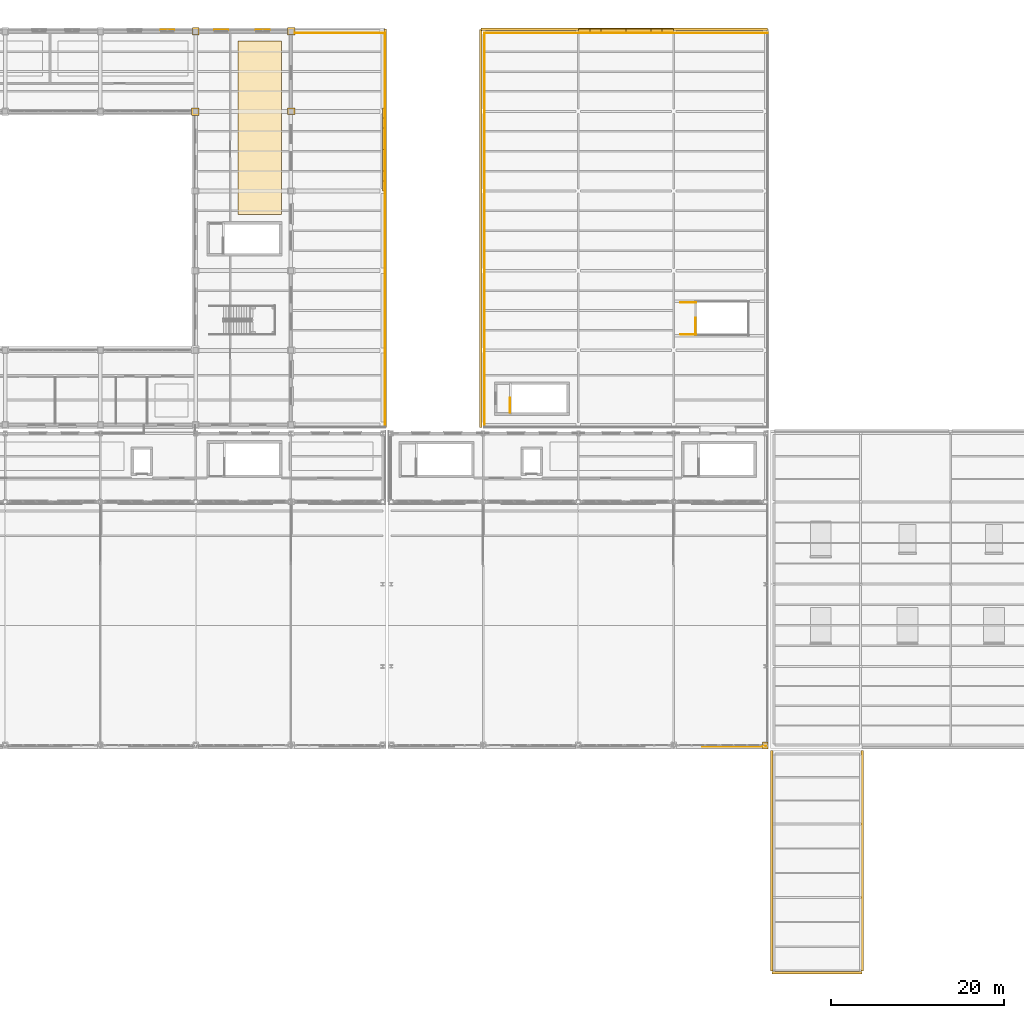
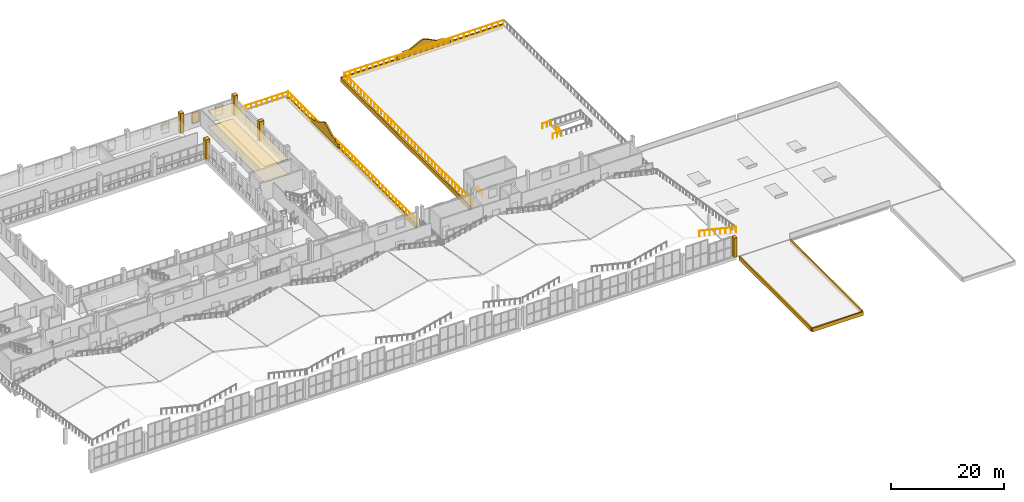
# One storey, part 117 of 120: 15 coverings, 9 railings, 3 shading devices.
"""IFC4 building model written with IfcOpenShell, lengths in metres."""

from ifc_helpers import new_model, si_unit, direction, frame, frame_2d, origin, origin_2d, place, context, subcontext, project, spatial, polyline, rectangle, circle, outline, extrude, material, layer, layer_set, type_object, element, save


model = new_model("IFC4")

# Units and contexts
model_context = context("Model", 3, precision=1e-05, world=origin(), true_north=direction((0.0, 1.0)))
body_context = subcontext(model_context, "Body", "Model", "MODEL_VIEW")
ifc_project = project(units=[si_unit("LENGTHUNIT", "METRE"), si_unit("AREAUNIT", "SQUARE_METRE"), si_unit("VOLUMEUNIT", "CUBIC_METRE"), si_unit("PLANEANGLEUNIT", "RADIAN"), si_unit("MASSUNIT", "GRAM", prefix="KILO")], contexts=[model_context])

# Site, building, storey
site_placement = place(None, origin())
site = spatial("IfcSite", under=ifc_project, at=site_placement, CompositionType="ELEMENT")
building_placement = place(site_placement, origin())
building = spatial("IfcBuilding", under=site, at=building_placement, Name="Caurita Quay Ferry Terminal", CompositionType="ELEMENT")
storey_placement = place(building_placement, frame((0.0, 0.0, 9.89990234375)))
storey = spatial("IfcBuildingStorey", under=building, at=storey_placement, Name="L02", CompositionType="ELEMENT", Elevation=9.89990234375)

# Coverings
ifc_material_1 = material(Name="Acoustic mineral fibre tile", Category="finish")
ifc_layer_1 = layer(ifc_material_1, 0.02001953125, Name="Acoustic mineral-fibre suspended ceiling 20 mm")
ifc_layer_set_1 = layer_set([ifc_layer_1], Name="Acoustic mineral fibre tile")
covering_type_1 = type_object("IfcCoveringType", Name="COV-CEIL-020", PredefinedType="CEILING", material=ifc_layer_set_1)
covering_1_placement = place(storey_placement, frame((0.0, 0.0, 3.422119140625)))
element("IfcCovering", 1, at=covering_1_placement, inside=storey, type_object=covering_type_1, Name="Colonial Terrace Pavilion Cafe Acoustic Ceiling", PredefinedType="CEILING", context=body_context, shape_type="SweptSolid", body=[
    extrude(outline(polyline([(70.89990234375, 95.89990234375), (75.89990234375, 95.89990234375), (75.89990234375, 115.89990234375), (70.89990234375, 115.89990234375), (70.89990234375, 95.89990234375)])), origin(), (0.0, 0.0, 1.0), 0.02001953125),
])
ifc_material_2 = material(Name="Coral stone ashlar cladding", Category="masonry")
ifc_layer_2 = layer(ifc_material_2, 0.239990234375, Name="Classical coral-stone entablature and cornice moulding 240 mm")
ifc_layer_set_2 = layer_set([ifc_layer_2], Name="Coral stone ashlar cladding")
covering_type_2 = type_object("IfcCoveringType", Name="COV-ENT-MLD", PredefinedType="MOLDING", material=ifc_layer_set_2)
covering_2_placement = place(storey_placement, frame((87.8798828125, 71.300048828125, -0.849853515625), z_axis=(0.0, 0.0, 1.0), x_axis=(0.0, 1.0, 0.0)))
element("IfcCovering", 2, at=covering_2_placement, inside=storey, type_object=covering_type_2, Name="L02 Classical Entablature Cornice 012", PredefinedType="MOLDING", context=body_context, shape_type="SweptSolid", body=[
    extrude(rectangle(XDim=46.0, YDim=0.280029296875, at=frame_2d((23.0, 0.0))), origin(), (0.0, 0.0, 1.0), 0.929931640625),
])
covering_3_placement = place(storey_placement, frame((132.050048828125, 117.280029296875, -0.849853515625), z_axis=(0.0, 0.0, 1.0), x_axis=(-1.0, 0.0, 0.0)))
element("IfcCovering", 3, at=covering_3_placement, inside=storey, type_object=covering_type_2, Name="L02 Classical Entablature Cornice 035", PredefinedType="MOLDING", context=body_context, shape_type="SweptSolid", body=[
    extrude(rectangle(XDim=33.10009765625, YDim=0.280029296875, at=frame_2d((16.550048828125, 0.0))), origin(), (0.0, 0.0, 1.0), 0.929931640625),
])
covering_4_placement = place(storey_placement, frame((98.93994140625, 117.280029296875, -0.849853515625), z_axis=(0.0, 0.0, 1.0), x_axis=(0.0, -1.0, 0.0)))
element("IfcCovering", 4, at=covering_4_placement, inside=storey, type_object=covering_type_2, Name="L02 Classical Entablature Cornice 038", PredefinedType="MOLDING", context=body_context, shape_type="SweptSolid", body=[
    extrude(rectangle(XDim=45.97998046875, YDim=0.280029296875, at=frame_2d((22.989990234375, 0.0))), origin(), (0.0, 0.0, 1.0), 0.929931640625),
])
for number, where, z_axis, x_axis, name in (
    (5, (132.5400390625, 34.0, -0.75), (0.0, 0.0, 1.0), (0.0, -1.0, 0.0), "L02 Classical Entablature Cornice 058"),
    (6, (142.97998046875, 8.5, -0.75), (0.0, 0.0, 1.0), (0.0, 1.0, 0.0), "L02 Classical Entablature Cornice 059"),
):
    element("IfcCovering", number, at=place(storey_placement, frame(where, z_axis=z_axis, x_axis=x_axis)), inside=storey, type_object=covering_type_2, Name=name, PredefinedType="MOLDING", context=body_context, shape_type="SweptSolid", body=[
        extrude(rectangle(XDim=25.5, YDim=0.280029296875, at=frame_2d((12.75, 0.0))), origin(), (0.0, 0.0, 1.0), 0.81005859375),
    ])
covering_5_placement = place(storey_placement, frame((132.5400390625, 8.320068359375, -0.75), z_axis=(0.0, 0.0, 1.0), x_axis=(1.0, 0.0, 0.0)))
element("IfcCovering", 7, at=covering_5_placement, inside=storey, type_object=covering_type_2, Name="L02 Classical Entablature Cornice 062", PredefinedType="MOLDING", context=body_context, shape_type="SweptSolid", body=[
    extrude(rectangle(XDim=10.43994140625, YDim=0.280029296875, at=frame_2d((5.219970703125, 0.0))), origin(), (0.0, 0.0, 1.0), 0.81005859375),
])
ifc_material_3 = material(Name="Warm-white lime stucco masonry", Category="masonry")
ifc_layer_3 = layer(ifc_material_3, 0.280029296875, Name="Shaped Spanish Colonial espadana mission parapet gable 280 mm")
ifc_layer_set_3 = layer_set([ifc_layer_3], Name="Warm-white lime stucco masonry")
covering_type_3 = type_object("IfcCoveringType", Name="COV-ESP-MLD", PredefinedType="MOLDING", material=ifc_layer_set_3)
covering_6_placement = place(storey_placement, frame((87.75, 98.60009765625, -0.0498046875), z_axis=(0.0, 0.0, 1.0), x_axis=(0.0, 1.0, 0.0)))
element("IfcCovering", 8, at=covering_6_placement, inside=storey, type_object=covering_type_3, Name="Colonial Terrace East Espadana Gable 074", PredefinedType="MOLDING", context=body_context, shape_type="SweptSolid", body=[
    extrude(outline(polyline([(0.0, 0.0), (9.599853515625, 0.0), (9.599853515625, 0.849853515625), (8.44775390625, 0.849853515625), (8.44775390625, 1.329833984375), (7.2958984375, 1.329833984375), (6.52783203125, 1.769775390625), (5.760009765625, 2.229736328125), (5.183837890625, 2.52978515625), (4.7998046875, 2.6298828125), (4.416015625, 2.52978515625), (3.83984375, 2.229736328125), (3.072021484375, 1.769775390625), (2.303955078125, 1.329833984375), (1.152099609375, 1.329833984375), (1.152099609375, 0.849853515625), (0.0, 0.849853515625), (0.0, 0.0)])), frame((0.0, 0.16015625, 0.0), z_axis=(0.0, -1.0, 0.0), x_axis=(1.0, 0.0, 0.0)), (0.0, 0.0, 1.0), 0.320068359375),
])
covering_7_placement = place(storey_placement, frame((121.199951171875, 117.14990234375, -0.0498046875), z_axis=(0.0, 0.0, 1.0), x_axis=(-1.0, 0.0, 0.0)))
element("IfcCovering", 9, at=covering_7_placement, inside=storey, type_object=covering_type_3, Name="Landside Mezzanine Espadana Parapet Gable 076", PredefinedType="MOLDING", context=body_context, shape_type="SweptSolid", body=[
    extrude(outline(polyline([(0.0, 0.0), (11.0, 0.0), (11.0, 0.849853515625), (9.679931640625, 0.849853515625), (9.679931640625, 1.329833984375), (8.360107421875, 1.329833984375), (7.47998046875, 1.769775390625), (6.60009765625, 2.229736328125), (5.93994140625, 2.52978515625), (5.5, 2.6298828125), (5.06005859375, 2.52978515625), (4.39990234375, 2.229736328125), (3.52001953125, 1.769775390625), (2.639892578125, 1.329833984375), (1.320068359375, 1.329833984375), (1.320068359375, 0.849853515625), (0.0, 0.849853515625), (0.0, 0.0)])), frame((0.0, 0.16015625, 0.0), z_axis=(0.0, -1.0, 0.0), x_axis=(1.0, 0.0, 0.0)), (0.0, 0.0, 1.0), 0.320068359375),
])
ifc_material_4 = material(Name="Polished marine terrazzo tile", Category="finish")
ifc_layer_4 = layer(ifc_material_4, 0.02490234375, Name="Polished marine terrazzo floor finish 25 mm")
ifc_layer_set_4 = layer_set([ifc_layer_4], Name="Polished marine terrazzo tile")
covering_type_4 = type_object("IfcCoveringType", Name="COV-FLR-025", PredefinedType="FLOORING", material=ifc_layer_set_4)
covering_8_placement = place(storey_placement, origin())
element("IfcCovering", 10, at=covering_8_placement, inside=storey, type_object=covering_type_4, Name="Colonial Terrace Pavilion Cafe Terrazzo Flooring", PredefinedType="FLOORING", context=body_context, shape_type="SweptSolid", body=[
    extrude(outline(polyline([(70.89990234375, 95.89990234375), (75.89990234375, 95.89990234375), (75.89990234375, 115.89990234375), (70.89990234375, 115.89990234375), (70.89990234375, 95.89990234375)])), origin(), (0.0, 0.0, 1.0), 0.025146484375),
])
ifc_layer_5 = layer(ifc_material_3, 0.179931640625, Name="Classical engaged lime-stucco facade pilaster cladding 180 mm")
ifc_layer_set_5 = layer_set([ifc_layer_5], Name="Warm-white lime stucco masonry")
covering_type_5 = type_object("IfcCoveringType", Name="COV-PIL-CLD", PredefinedType="CLADDING", material=ifc_layer_set_5)
covering_9_placement = place(storey_placement, frame((131.800048828125, 34.550048828125, 0.0), z_axis=(0.0, 0.0, 1.0), x_axis=(1.0, 0.0, 0.0)))
element("IfcCovering", 11, at=covering_9_placement, inside=storey, type_object=covering_type_5, Name="L02 Classical Engaged Pilaster 0112", PredefinedType="CLADDING", context=body_context, shape_type="SweptSolid", body=[
    extrude(rectangle(XDim=0.6279296875, YDim=0.7880859375, at=origin_2d()), origin(), (0.0, 0.0, 1.0), 4.199951171875),
])
covering_10_placement = place(storey_placement, frame((65.949951171875, 107.75, 0.0), z_axis=(0.0, 0.0, 1.0), x_axis=(1.0, 0.0, 0.0)))
element("IfcCovering", 12, at=covering_10_placement, inside=storey, type_object=covering_type_5, Name="L02 Classical Engaged Pilaster 0378", PredefinedType="CLADDING", context=body_context, shape_type="SweptSolid", body=[
    extrude(rectangle(XDim=0.8798828125, YDim=0.8798828125, at=origin_2d()), origin(), (0.0, 0.0, 1.0), 4.199951171875),
])
covering_11_placement = place(storey_placement, frame((66.0, 117.050048828125, 0.0), z_axis=(0.0, 0.0, 1.0), x_axis=(1.0, 0.0, 0.0)))
element("IfcCovering", 13, at=covering_11_placement, inside=storey, type_object=covering_type_5, Name="L02 Classical Engaged Pilaster 0382", PredefinedType="CLADDING", context=body_context, shape_type="SweptSolid", body=[
    extrude(rectangle(XDim=0.719970703125, YDim=0.8798828125, at=origin_2d()), origin(), (0.0, 0.0, 1.0), 4.199951171875),
])
covering_12_placement = place(storey_placement, frame((77.050048828125, 107.800048828125, 0.0), z_axis=(0.0, 0.0, 1.0), x_axis=(1.0, 0.0, 0.0)))
element("IfcCovering", 14, at=covering_12_placement, inside=storey, type_object=covering_type_5, Name="L02 Classical Engaged Pilaster 0390", PredefinedType="CLADDING", context=body_context, shape_type="SweptSolid", body=[
    extrude(rectangle(XDim=0.8798828125, YDim=0.719970703125, at=origin_2d()), origin(), (0.0, 0.0, 1.0), 4.199951171875),
])
covering_13_placement = place(storey_placement, frame((77.050048828125, 117.050048828125, 0.0), z_axis=(0.0, 0.0, 1.0), x_axis=(1.0, 0.0, 0.0)))
element("IfcCovering", 15, at=covering_13_placement, inside=storey, type_object=covering_type_5, Name="L02 Classical Engaged Pilaster 0393", PredefinedType="CLADDING", context=body_context, shape_type="SweptSolid", body=[
    extrude(rectangle(XDim=0.8798828125, YDim=0.8798828125, at=origin_2d()), origin(), (0.0, 0.0, 1.0), 4.199951171875),
])

# Railings
ifc_material_5 = material(Name="Bronze architectural metalwork", Category="metal")
railing_type = type_object("IfcRailingType", Name="RL-REJA-115", PredefinedType="BALUSTRADE", material=ifc_material_5)
railing_1_placement = place(storey_placement, frame((99.35009765625, 71.35009765625, 0.0)))
element("IfcRailing", 16, at=railing_1_placement, inside=storey, type_object=railing_type, Name="Upper Roof Garden Balustrade (034)", PredefinedType="BALUSTRADE", context=body_context, shape_type="SweptSolid", body=[
    extrude(circle(Radius=0.02392578125, at=origin_2d()), frame((0.0, 0.0, 1.1259765625), z_axis=(0.0, 1.0, 0.0), x_axis=(-1.0, 0.0, 0.0)), (0.0, 0.0, 1.0), 45.5),
    extrude(circle(Radius=0.02099609375, at=origin_2d()), origin(), (0.0, 0.0, 1.0), 1.101806640625),
    extrude(circle(Radius=0.02099609375, at=origin_2d()), frame((0.0, 1.197265625, 0.0)), (0.0, 0.0, 1.0), 1.101806640625),
    extrude(circle(Radius=0.02099609375, at=origin_2d()), frame((0.0, 2.394775390625, 0.0)), (0.0, 0.0, 1.0), 1.101806640625),
    extrude(circle(Radius=0.02099609375, at=origin_2d()), frame((0.0, 3.592041015625, 0.0)), (0.0, 0.0, 1.0), 1.101806640625),
    extrude(circle(Radius=0.02099609375, at=origin_2d()), frame((0.0, 4.78955078125, 0.0)), (0.0, 0.0, 1.0), 1.101806640625),
    extrude(circle(Radius=0.02099609375, at=origin_2d()), frame((0.0, 5.98681640625, 0.0)), (0.0, 0.0, 1.0), 1.101806640625),
    extrude(circle(Radius=0.02099609375, at=origin_2d()), frame((0.0, 7.184326171875, 0.0)), (0.0, 0.0, 1.0), 1.101806640625),
    extrude(circle(Radius=0.02099609375, at=origin_2d()), frame((0.0, 8.381591796875, 0.0)), (0.0, 0.0, 1.0), 1.101806640625),
    extrude(circle(Radius=0.02099609375, at=origin_2d()), frame((0.0, 9.578857421875, 0.0)), (0.0, 0.0, 1.0), 1.101806640625),
    extrude(circle(Radius=0.02099609375, at=origin_2d()), frame((0.0, 10.7763671875, 0.0)), (0.0, 0.0, 1.0), 1.101806640625),
    extrude(circle(Radius=0.02099609375, at=origin_2d()), frame((0.0, 11.9736328125, 0.0)), (0.0, 0.0, 1.0), 1.101806640625),
    extrude(circle(Radius=0.02099609375, at=origin_2d()), frame((0.0, 13.171142578125, 0.0)), (0.0, 0.0, 1.0), 1.101806640625),
    extrude(circle(Radius=0.02099609375, at=origin_2d()), frame((0.0, 14.368408203125, 0.0)), (0.0, 0.0, 1.0), 1.101806640625),
    extrude(circle(Radius=0.02099609375, at=origin_2d()), frame((0.0, 15.565673828125, 0.0)), (0.0, 0.0, 1.0), 1.101806640625),
    extrude(circle(Radius=0.02099609375, at=origin_2d()), frame((0.0, 16.76318359375, 0.0)), (0.0, 0.0, 1.0), 1.101806640625),
    extrude(circle(Radius=0.02099609375, at=origin_2d()), frame((0.0, 17.96044921875, 0.0)), (0.0, 0.0, 1.0), 1.101806640625),
    extrude(circle(Radius=0.02099609375, at=origin_2d()), frame((0.0, 19.157958984375, 0.0)), (0.0, 0.0, 1.0), 1.101806640625),
    extrude(circle(Radius=0.02099609375, at=origin_2d()), frame((0.0, 20.355224609375, 0.0)), (0.0, 0.0, 1.0), 1.101806640625),
    extrude(circle(Radius=0.02099609375, at=origin_2d()), frame((0.0, 21.552734375, 0.0)), (0.0, 0.0, 1.0), 1.101806640625),
    extrude(circle(Radius=0.02099609375, at=origin_2d()), frame((0.0, 22.75, 0.0)), (0.0, 0.0, 1.0), 1.101806640625),
    extrude(circle(Radius=0.02099609375, at=origin_2d()), frame((0.0, 23.947265625, 0.0)), (0.0, 0.0, 1.0), 1.101806640625),
    extrude(circle(Radius=0.02099609375, at=origin_2d()), frame((0.0, 25.144775390625, 0.0)), (0.0, 0.0, 1.0), 1.101806640625),
    extrude(circle(Radius=0.02099609375, at=origin_2d()), frame((0.0, 26.342041015625, 0.0)), (0.0, 0.0, 1.0), 1.101806640625),
    extrude(circle(Radius=0.02099609375, at=origin_2d()), frame((0.0, 27.53955078125, 0.0)), (0.0, 0.0, 1.0), 1.101806640625),
    extrude(circle(Radius=0.02099609375, at=origin_2d()), frame((0.0, 28.73681640625, 0.0)), (0.0, 0.0, 1.0), 1.101806640625),
    extrude(circle(Radius=0.02099609375, at=origin_2d()), frame((0.0, 29.934326171875, 0.0)), (0.0, 0.0, 1.0), 1.101806640625),
    extrude(circle(Radius=0.02099609375, at=origin_2d()), frame((0.0, 31.131591796875, 0.0)), (0.0, 0.0, 1.0), 1.101806640625),
    extrude(circle(Radius=0.02099609375, at=origin_2d()), frame((0.0, 32.328857421875, 0.0)), (0.0, 0.0, 1.0), 1.101806640625),
    extrude(circle(Radius=0.02099609375, at=origin_2d()), frame((0.0, 33.5263671875, 0.0)), (0.0, 0.0, 1.0), 1.101806640625),
    extrude(circle(Radius=0.02099609375, at=origin_2d()), frame((0.0, 34.7236328125, 0.0)), (0.0, 0.0, 1.0), 1.101806640625),
    extrude(circle(Radius=0.02099609375, at=origin_2d()), frame((0.0, 35.921142578125, 0.0)), (0.0, 0.0, 1.0), 1.101806640625),
    extrude(circle(Radius=0.02099609375, at=origin_2d()), frame((0.0, 37.118408203125, 0.0)), (0.0, 0.0, 1.0), 1.101806640625),
    extrude(circle(Radius=0.02099609375, at=origin_2d()), frame((0.0, 38.315673828125, 0.0)), (0.0, 0.0, 1.0), 1.101806640625),
    extrude(circle(Radius=0.02099609375, at=origin_2d()), frame((0.0, 39.51318359375, 0.0)), (0.0, 0.0, 1.0), 1.101806640625),
    extrude(circle(Radius=0.02099609375, at=origin_2d()), frame((0.0, 40.71044921875, 0.0)), (0.0, 0.0, 1.0), 1.101806640625),
    extrude(circle(Radius=0.02099609375, at=origin_2d()), frame((0.0, 41.907958984375, 0.0)), (0.0, 0.0, 1.0), 1.101806640625),
    extrude(circle(Radius=0.02099609375, at=origin_2d()), frame((0.0, 43.105224609375, 0.0)), (0.0, 0.0, 1.0), 1.101806640625),
    extrude(circle(Radius=0.02099609375, at=origin_2d()), frame((0.0, 44.302734375, 0.0)), (0.0, 0.0, 1.0), 1.101806640625),
    extrude(circle(Radius=0.02099609375, at=origin_2d()), frame((0.0, 45.5, 0.0)), (0.0, 0.0, 1.0), 1.101806640625),
])
railing_2_placement = place(storey_placement, frame((99.35009765625, 116.85009765625, 0.0)))
element("IfcRailing", 17, at=railing_2_placement, inside=storey, type_object=railing_type, Name="Upper Roof Garden Balustrade (035)", PredefinedType="BALUSTRADE", context=body_context, shape_type="SweptSolid", body=[
    extrude(circle(Radius=0.02392578125, at=origin_2d()), frame((0.0, 0.0, 1.1259765625), z_axis=(1.0, 0.0, 0.0), x_axis=(0.0, 1.0, 0.0)), (0.0, 0.0, 1.0), 32.699951171875),
    extrude(circle(Radius=0.02099609375, at=origin_2d()), origin(), (0.0, 0.0, 1.0), 1.101806640625),
    extrude(circle(Radius=0.02099609375, at=origin_2d()), frame((1.16796875, 0.0, 0.0)), (0.0, 0.0, 1.0), 1.101806640625),
    extrude(circle(Radius=0.02099609375, at=origin_2d()), frame((2.335693359375, 0.0, 0.0)), (0.0, 0.0, 1.0), 1.101806640625),
    extrude(circle(Radius=0.02099609375, at=origin_2d()), frame((3.503662109375, 0.0, 0.0)), (0.0, 0.0, 1.0), 1.101806640625),
    extrude(circle(Radius=0.02099609375, at=origin_2d()), frame((4.67138671875, 0.0, 0.0)), (0.0, 0.0, 1.0), 1.101806640625),
    extrude(circle(Radius=0.02099609375, at=origin_2d()), frame((5.83935546875, 0.0, 0.0)), (0.0, 0.0, 1.0), 1.101806640625),
    extrude(circle(Radius=0.02099609375, at=origin_2d()), frame((7.007080078125, 0.0, 0.0)), (0.0, 0.0, 1.0), 1.101806640625),
    extrude(circle(Radius=0.02099609375, at=origin_2d()), frame((8.175048828125, 0.0, 0.0)), (0.0, 0.0, 1.0), 1.101806640625),
    extrude(circle(Radius=0.02099609375, at=origin_2d()), frame((9.3427734375, 0.0, 0.0)), (0.0, 0.0, 1.0), 1.101806640625),
    extrude(circle(Radius=0.02099609375, at=origin_2d()), frame((10.5107421875, 0.0, 0.0)), (0.0, 0.0, 1.0), 1.101806640625),
    extrude(circle(Radius=0.02099609375, at=origin_2d()), frame((11.678466796875, 0.0, 0.0)), (0.0, 0.0, 1.0), 1.101806640625),
    extrude(circle(Radius=0.02099609375, at=origin_2d()), frame((12.846435546875, 0.0, 0.0)), (0.0, 0.0, 1.0), 1.101806640625),
    extrude(circle(Radius=0.02099609375, at=origin_2d()), frame((14.01416015625, 0.0, 0.0)), (0.0, 0.0, 1.0), 1.101806640625),
    extrude(circle(Radius=0.02099609375, at=origin_2d()), frame((15.18212890625, 0.0, 0.0)), (0.0, 0.0, 1.0), 1.101806640625),
    extrude(circle(Radius=0.02099609375, at=origin_2d()), frame((16.35009765625, 0.0, 0.0)), (0.0, 0.0, 1.0), 1.101806640625),
    extrude(circle(Radius=0.02099609375, at=origin_2d()), frame((17.517822265625, 0.0, 0.0)), (0.0, 0.0, 1.0), 1.101806640625),
    extrude(circle(Radius=0.02099609375, at=origin_2d()), frame((18.685791015625, 0.0, 0.0)), (0.0, 0.0, 1.0), 1.101806640625),
    extrude(circle(Radius=0.02099609375, at=origin_2d()), frame((19.853515625, 0.0, 0.0)), (0.0, 0.0, 1.0), 1.101806640625),
    extrude(circle(Radius=0.02099609375, at=origin_2d()), frame((21.021484375, 0.0, 0.0)), (0.0, 0.0, 1.0), 1.101806640625),
    extrude(circle(Radius=0.02099609375, at=origin_2d()), frame((22.189208984375, 0.0, 0.0)), (0.0, 0.0, 1.0), 1.101806640625),
    extrude(circle(Radius=0.02099609375, at=origin_2d()), frame((23.357177734375, 0.0, 0.0)), (0.0, 0.0, 1.0), 1.101806640625),
    extrude(circle(Radius=0.02099609375, at=origin_2d()), frame((24.52490234375, 0.0, 0.0)), (0.0, 0.0, 1.0), 1.101806640625),
    extrude(circle(Radius=0.02099609375, at=origin_2d()), frame((25.69287109375, 0.0, 0.0)), (0.0, 0.0, 1.0), 1.101806640625),
    extrude(circle(Radius=0.02099609375, at=origin_2d()), frame((26.860595703125, 0.0, 0.0)), (0.0, 0.0, 1.0), 1.101806640625),
    extrude(circle(Radius=0.02099609375, at=origin_2d()), frame((28.028564453125, 0.0, 0.0)), (0.0, 0.0, 1.0), 1.101806640625),
    extrude(circle(Radius=0.02099609375, at=origin_2d()), frame((29.1962890625, 0.0, 0.0)), (0.0, 0.0, 1.0), 1.101806640625),
    extrude(circle(Radius=0.02099609375, at=origin_2d()), frame((30.3642578125, 0.0, 0.0)), (0.0, 0.0, 1.0), 1.101806640625),
    extrude(circle(Radius=0.02099609375, at=origin_2d()), frame((31.531982421875, 0.0, 0.0)), (0.0, 0.0, 1.0), 1.101806640625),
    extrude(circle(Radius=0.02099609375, at=origin_2d()), frame((32.699951171875, 0.0, 0.0)), (0.0, 0.0, 1.0), 1.101806640625),
])
railing_3_placement = place(storey_placement, frame((87.85009765625, 71.35009765625, 0.0)))
element("IfcRailing", 18, at=railing_3_placement, inside=storey, type_object=railing_type, Name="L02 Colonial Terrace Balustrade (066)", PredefinedType="BALUSTRADE", context=body_context, shape_type="SweptSolid", body=[
    extrude(circle(Radius=0.02392578125, at=origin_2d()), frame((0.0, 0.0, 1.1259765625), z_axis=(0.0, 1.0, 0.0), x_axis=(-1.0, 0.0, 0.0)), (0.0, 0.0, 1.0), 45.5),
    extrude(circle(Radius=0.02099609375, at=origin_2d()), origin(), (0.0, 0.0, 1.0), 1.101806640625),
    extrude(circle(Radius=0.02099609375, at=origin_2d()), frame((0.0, 1.197265625, 0.0)), (0.0, 0.0, 1.0), 1.101806640625),
    extrude(circle(Radius=0.02099609375, at=origin_2d()), frame((0.0, 2.394775390625, 0.0)), (0.0, 0.0, 1.0), 1.101806640625),
    extrude(circle(Radius=0.02099609375, at=origin_2d()), frame((0.0, 3.592041015625, 0.0)), (0.0, 0.0, 1.0), 1.101806640625),
    extrude(circle(Radius=0.02099609375, at=origin_2d()), frame((0.0, 4.78955078125, 0.0)), (0.0, 0.0, 1.0), 1.101806640625),
    extrude(circle(Radius=0.02099609375, at=origin_2d()), frame((0.0, 5.98681640625, 0.0)), (0.0, 0.0, 1.0), 1.101806640625),
    extrude(circle(Radius=0.02099609375, at=origin_2d()), frame((0.0, 7.184326171875, 0.0)), (0.0, 0.0, 1.0), 1.101806640625),
    extrude(circle(Radius=0.02099609375, at=origin_2d()), frame((0.0, 8.381591796875, 0.0)), (0.0, 0.0, 1.0), 1.101806640625),
    extrude(circle(Radius=0.02099609375, at=origin_2d()), frame((0.0, 9.578857421875, 0.0)), (0.0, 0.0, 1.0), 1.101806640625),
    extrude(circle(Radius=0.02099609375, at=origin_2d()), frame((0.0, 10.7763671875, 0.0)), (0.0, 0.0, 1.0), 1.101806640625),
    extrude(circle(Radius=0.02099609375, at=origin_2d()), frame((0.0, 11.9736328125, 0.0)), (0.0, 0.0, 1.0), 1.101806640625),
    extrude(circle(Radius=0.02099609375, at=origin_2d()), frame((0.0, 13.171142578125, 0.0)), (0.0, 0.0, 1.0), 1.101806640625),
    extrude(circle(Radius=0.02099609375, at=origin_2d()), frame((0.0, 14.368408203125, 0.0)), (0.0, 0.0, 1.0), 1.101806640625),
    extrude(circle(Radius=0.02099609375, at=origin_2d()), frame((0.0, 15.565673828125, 0.0)), (0.0, 0.0, 1.0), 1.101806640625),
    extrude(circle(Radius=0.02099609375, at=origin_2d()), frame((0.0, 16.76318359375, 0.0)), (0.0, 0.0, 1.0), 1.101806640625),
    extrude(circle(Radius=0.02099609375, at=origin_2d()), frame((0.0, 17.96044921875, 0.0)), (0.0, 0.0, 1.0), 1.101806640625),
    extrude(circle(Radius=0.02099609375, at=origin_2d()), frame((0.0, 19.157958984375, 0.0)), (0.0, 0.0, 1.0), 1.101806640625),
    extrude(circle(Radius=0.02099609375, at=origin_2d()), frame((0.0, 20.355224609375, 0.0)), (0.0, 0.0, 1.0), 1.101806640625),
    extrude(circle(Radius=0.02099609375, at=origin_2d()), frame((0.0, 21.552734375, 0.0)), (0.0, 0.0, 1.0), 1.101806640625),
    extrude(circle(Radius=0.02099609375, at=origin_2d()), frame((0.0, 22.75, 0.0)), (0.0, 0.0, 1.0), 1.101806640625),
    extrude(circle(Radius=0.02099609375, at=origin_2d()), frame((0.0, 23.947265625, 0.0)), (0.0, 0.0, 1.0), 1.101806640625),
    extrude(circle(Radius=0.02099609375, at=origin_2d()), frame((0.0, 25.144775390625, 0.0)), (0.0, 0.0, 1.0), 1.101806640625),
    extrude(circle(Radius=0.02099609375, at=origin_2d()), frame((0.0, 26.342041015625, 0.0)), (0.0, 0.0, 1.0), 1.101806640625),
    extrude(circle(Radius=0.02099609375, at=origin_2d()), frame((0.0, 27.53955078125, 0.0)), (0.0, 0.0, 1.0), 1.101806640625),
    extrude(circle(Radius=0.02099609375, at=origin_2d()), frame((0.0, 28.73681640625, 0.0)), (0.0, 0.0, 1.0), 1.101806640625),
    extrude(circle(Radius=0.02099609375, at=origin_2d()), frame((0.0, 29.934326171875, 0.0)), (0.0, 0.0, 1.0), 1.101806640625),
    extrude(circle(Radius=0.02099609375, at=origin_2d()), frame((0.0, 31.131591796875, 0.0)), (0.0, 0.0, 1.0), 1.101806640625),
    extrude(circle(Radius=0.02099609375, at=origin_2d()), frame((0.0, 32.328857421875, 0.0)), (0.0, 0.0, 1.0), 1.101806640625),
    extrude(circle(Radius=0.02099609375, at=origin_2d()), frame((0.0, 33.5263671875, 0.0)), (0.0, 0.0, 1.0), 1.101806640625),
    extrude(circle(Radius=0.02099609375, at=origin_2d()), frame((0.0, 34.7236328125, 0.0)), (0.0, 0.0, 1.0), 1.101806640625),
    extrude(circle(Radius=0.02099609375, at=origin_2d()), frame((0.0, 35.921142578125, 0.0)), (0.0, 0.0, 1.0), 1.101806640625),
    extrude(circle(Radius=0.02099609375, at=origin_2d()), frame((0.0, 37.118408203125, 0.0)), (0.0, 0.0, 1.0), 1.101806640625),
    extrude(circle(Radius=0.02099609375, at=origin_2d()), frame((0.0, 38.315673828125, 0.0)), (0.0, 0.0, 1.0), 1.101806640625),
    extrude(circle(Radius=0.02099609375, at=origin_2d()), frame((0.0, 39.51318359375, 0.0)), (0.0, 0.0, 1.0), 1.101806640625),
    extrude(circle(Radius=0.02099609375, at=origin_2d()), frame((0.0, 40.71044921875, 0.0)), (0.0, 0.0, 1.0), 1.101806640625),
    extrude(circle(Radius=0.02099609375, at=origin_2d()), frame((0.0, 41.907958984375, 0.0)), (0.0, 0.0, 1.0), 1.101806640625),
    extrude(circle(Radius=0.02099609375, at=origin_2d()), frame((0.0, 43.105224609375, 0.0)), (0.0, 0.0, 1.0), 1.101806640625),
    extrude(circle(Radius=0.02099609375, at=origin_2d()), frame((0.0, 44.302734375, 0.0)), (0.0, 0.0, 1.0), 1.101806640625),
    extrude(circle(Radius=0.02099609375, at=origin_2d()), frame((0.0, 45.5, 0.0)), (0.0, 0.0, 1.0), 1.101806640625),
])
railing_4_placement = place(storey_placement, frame((87.85009765625, 116.85009765625, 0.0)))
element("IfcRailing", 19, at=railing_4_placement, inside=storey, type_object=railing_type, Name="L02 Colonial Terrace Balustrade (067)", PredefinedType="BALUSTRADE", context=body_context, shape_type="SweptSolid", body=[
    extrude(circle(Radius=0.02392578125, at=origin_2d()), frame((0.0, 0.0, 1.1259765625), z_axis=(-1.0, 0.0, 0.0), x_axis=(0.0, -1.0, 0.0)), (0.0, 0.0, 1.0), 10.800048828125),
    extrude(circle(Radius=0.02099609375, at=origin_2d()), origin(), (0.0, 0.0, 1.0), 1.101806640625),
    extrude(circle(Radius=0.02099609375, at=origin_2d()), frame((-1.080078125, 0.0, 0.0)), (0.0, 0.0, 1.0), 1.101806640625),
    extrude(circle(Radius=0.02099609375, at=origin_2d()), frame((-2.159912109375, 0.0, 0.0)), (0.0, 0.0, 1.0), 1.101806640625),
    extrude(circle(Radius=0.02099609375, at=origin_2d()), frame((-3.239990234375, 0.0, 0.0)), (0.0, 0.0, 1.0), 1.101806640625),
    extrude(circle(Radius=0.02099609375, at=origin_2d()), frame((-4.320068359375, 0.0, 0.0)), (0.0, 0.0, 1.0), 1.101806640625),
    extrude(circle(Radius=0.02099609375, at=origin_2d()), frame((-5.39990234375, 0.0, 0.0)), (0.0, 0.0, 1.0), 1.101806640625),
    extrude(circle(Radius=0.02099609375, at=origin_2d()), frame((-6.47998046875, 0.0, 0.0)), (0.0, 0.0, 1.0), 1.101806640625),
    extrude(circle(Radius=0.02099609375, at=origin_2d()), frame((-7.56005859375, 0.0, 0.0)), (0.0, 0.0, 1.0), 1.101806640625),
    extrude(circle(Radius=0.02099609375, at=origin_2d()), frame((-8.64013671875, 0.0, 0.0)), (0.0, 0.0, 1.0), 1.101806640625),
    extrude(circle(Radius=0.02099609375, at=origin_2d()), frame((-9.719970703125, 0.0, 0.0)), (0.0, 0.0, 1.0), 1.101806640625),
    extrude(circle(Radius=0.02099609375, at=origin_2d()), frame((-10.800048828125, 0.0, 0.0)), (0.0, 0.0, 1.0), 1.101806640625),
])
railing_5_placement = place(storey_placement, frame((124.550048828125, 34.449951171875, 6.9560546875)))
element("IfcRailing", 20, at=railing_5_placement, inside=storey, type_object=railing_type, Name="Folded Roof Bay 6 Waterside Eave Guard E", PredefinedType="BALUSTRADE", context=body_context, shape_type="SweptSolid", body=[
    extrude(circle(Radius=0.02392578125, at=origin_2d()), frame((0.0, 0.0, 1.1259765625), z_axis=(0.972382109193, 0.0, -0.233394588029), x_axis=(0.0, 1.0, 0.0)), (0.0, 0.0, 1.0), 7.68212890625),
    extrude(circle(Radius=0.02099609375, at=origin_2d()), origin(), (0.0, 0.0, 1.0), 1.101806640625),
    extrude(circle(Radius=0.02099609375, at=origin_2d()), frame((1.067138671875, 0.0, -0.256103515625)), (0.0, 0.0, 1.0), 1.101806640625),
    extrude(circle(Radius=0.02099609375, at=origin_2d()), frame((2.13427734375, 0.0, -0.51220703125)), (0.0, 0.0, 1.0), 1.101806640625),
    extrude(circle(Radius=0.02099609375, at=origin_2d()), frame((3.201416015625, 0.0, -0.768310546875)), (0.0, 0.0, 1.0), 1.101806640625),
    extrude(circle(Radius=0.02099609375, at=origin_2d()), frame((4.2685546875, 0.0, -1.024658203125)), (0.0, 0.0, 1.0), 1.101806640625),
    extrude(circle(Radius=0.02099609375, at=origin_2d()), frame((5.335693359375, 0.0, -1.28076171875)), (0.0, 0.0, 1.0), 1.101806640625),
    extrude(circle(Radius=0.02099609375, at=origin_2d()), frame((6.40283203125, 0.0, -1.536865234375)), (0.0, 0.0, 1.0), 1.101806640625),
    extrude(circle(Radius=0.02099609375, at=origin_2d()), frame((7.469970703125, 0.0, -1.79296875)), (0.0, 0.0, 1.0), 1.101806640625),
])
railing_6_placement = place(storey_placement, frame((102.300048828125, 73.0, 0.0)))
element("IfcRailing", 21, at=railing_6_placement, inside=storey, type_object=railing_type, Name="L02 ST-12 top well guard 1", PredefinedType="BALUSTRADE", context=body_context, shape_type="SweptSolid", body=[
    extrude(circle(Radius=0.02392578125, at=origin_2d()), frame((0.0, 0.0, 1.1259765625), z_axis=(0.0, 1.0, 0.0), x_axis=(-1.0, 0.0, 0.0)), (0.0, 0.0, 1.0), 1.7099609375),
    extrude(circle(Radius=0.02099609375, at=origin_2d()), origin(), (0.0, 0.0, 1.0), 1.101806640625),
    extrude(circle(Radius=0.02099609375, at=origin_2d()), frame((0.0, 0.85498046875, 0.0)), (0.0, 0.0, 1.0), 1.101806640625),
    extrude(circle(Radius=0.02099609375, at=origin_2d()), frame((0.0, 1.7099609375, 0.0)), (0.0, 0.0, 1.0), 1.101806640625),
])
railing_7_placement = place(storey_placement, frame((123.75, 82.0, 0.0)))
element("IfcRailing", 22, at=railing_7_placement, inside=storey, type_object=railing_type, Name="L02 ST-13 top well guard 1", PredefinedType="BALUSTRADE", context=body_context, shape_type="SweptSolid", body=[
    extrude(circle(Radius=0.02392578125, at=origin_2d()), frame((0.0, 0.0, 1.1259765625), z_axis=(0.0, 1.0, 0.0), x_axis=(-1.0, 0.0, 0.0)), (0.0, 0.0, 1.0), 1.9599609375),
    extrude(circle(Radius=0.02099609375, at=origin_2d()), origin(), (0.0, 0.0, 1.0), 1.101806640625),
    extrude(circle(Radius=0.02099609375, at=origin_2d()), frame((0.0, 0.97998046875, 0.0)), (0.0, 0.0, 1.0), 1.101806640625),
    extrude(circle(Radius=0.02099609375, at=origin_2d()), frame((0.0, 1.9599609375, 0.0)), (0.0, 0.0, 1.0), 1.101806640625),
])
for number, where, name in (
    (23, (122.0, 82.050048828125, 0.0), "L02 ST-13 top well guard 5"),
    (24, (122.0, 85.7099609375, 0.0), "L02 ST-13 top well guard 6"),
):
    element("IfcRailing", number, at=place(storey_placement, frame(where)), inside=storey, type_object=railing_type, Name=name, PredefinedType="BALUSTRADE", context=body_context, shape_type="SweptSolid", body=[
        extrude(circle(Radius=0.02392578125, at=origin_2d()), frame((0.0, 0.0, 1.1259765625), z_axis=(1.0, 0.0, 0.0), x_axis=(0.0, 1.0, 0.0)), (0.0, 0.0, 1.0), 1.800048828125),
        extrude(circle(Radius=0.02099609375, at=origin_2d()), origin(), (0.0, 0.0, 1.0), 1.101806640625),
        extrude(circle(Radius=0.02099609375, at=origin_2d()), frame((0.89990234375, 0.0, 0.0)), (0.0, 0.0, 1.0), 1.101806640625),
        extrude(circle(Radius=0.02099609375, at=origin_2d()), frame((1.800048828125, 0.0, 0.0)), (0.0, 0.0, 1.0), 1.101806640625),
    ])

# Shading devices
shading_device_type_1 = type_object("IfcShadingDeviceType", Name="SHD-JAL-01", PredefinedType="JALOUSIE", material=ifc_material_5)
for number, where, z_axis, x_axis, name in (
    (25, (62.75, 117.193115234375, 1.56884765625), (0.0, 0.0, 1.0), (-1.0, 0.0, 0.0), "L02 Tropical Window Sun-Breaker 021"),
    (26, (73.75, 117.193115234375, 1.56884765625), (0.0, 0.0, 1.0), (-1.0, 0.0, 0.0), "L02 Tropical Window Sun-Breaker 023"),
):
    element("IfcShadingDevice", number, at=place(storey_placement, frame(where, z_axis=z_axis, x_axis=x_axis)), inside=storey, type_object=shading_device_type_1, Name=name, PredefinedType="JALOUSIE", context=body_context, shape_type="SweptSolid", body=[
        extrude(rectangle(XDim=1.60009765625, YDim=0.080078125, at=origin_2d()), origin(), (0.0, 0.0, 1.0), 1.012451171875),
    ])
ifc_material_6 = material(Name="Tropical mahogany hardwood", Category="wood")
shading_device_type_2 = type_object("IfcShadingDeviceType", Name="SHD-SHT-01", PredefinedType="SHUTTER", material=ifc_material_6)
shading_device_placement = place(storey_placement, frame((68.97802734375, 117.18310546875, 0.91015625), z_axis=(0.0, 0.0, 1.0), x_axis=(-1.0, 0.0, 0.0)))
element("IfcShadingDevice", 27, at=shading_device_placement, inside=storey, type_object=shading_device_type_2, Name="L02 Tropical Window Sun-Breaker 024", PredefinedType="SHUTTER", context=body_context, shape_type="SweptSolid", body=[
    extrude(rectangle(XDim=1.6201171875, YDim=0.06005859375, at=origin_2d()), origin(), (0.0, 0.0, 1.0), 2.330078125),
])

save(model, "model.ifc")
